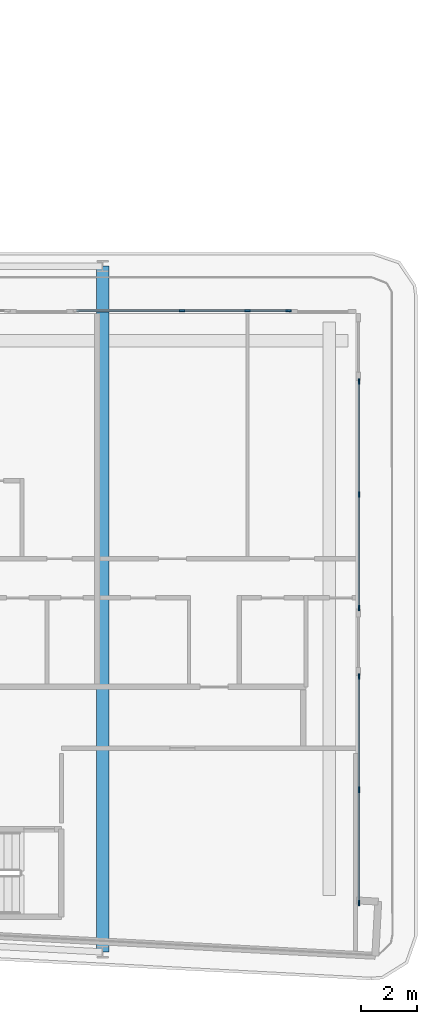
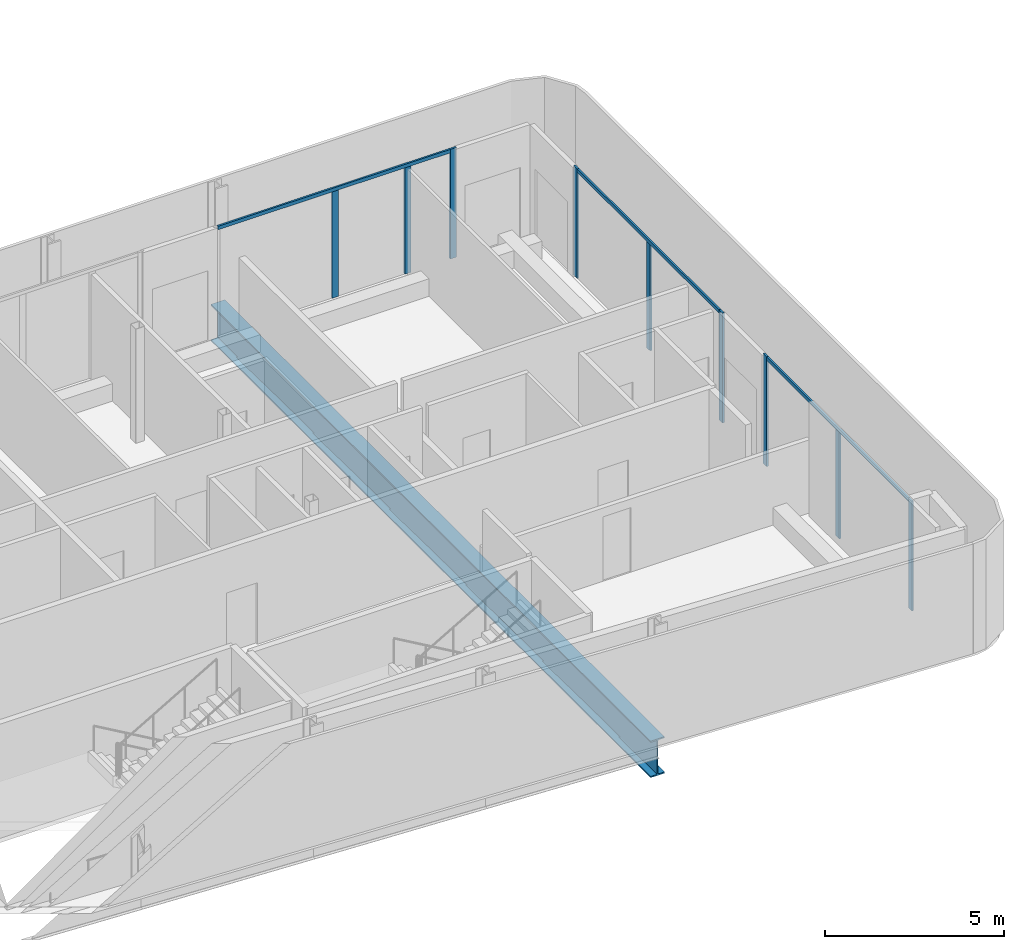
# One storey, part 10 of 28: 12 members, 1 beam, 3 elements without a shape of their own.
"""IFC4 building model written with IfcOpenShell, lengths in metres."""

from ifc_helpers import new_model, si_unit, direction, frame, origin, origin_2d, place, context, subcontext, project, spatial, rectangle, i_section, extrude, material, layer, layer_set, material_profile, profile_set, type_object, element, aggregate, save


model = new_model("IFC4")

# Units and contexts
model_context = context("Model", 3, precision=1e-05, world=origin(), true_north=direction((0.0, 1.0)))
body_context = subcontext(model_context, "Body", "Model", "MODEL_VIEW")
ifc_project = project(units=[si_unit("LENGTHUNIT", "METRE"), si_unit("AREAUNIT", "SQUARE_METRE"), si_unit("VOLUMEUNIT", "CUBIC_METRE"), si_unit("PLANEANGLEUNIT", "RADIAN"), si_unit("MASSUNIT", "GRAM", prefix="KILO")], contexts=[model_context])

# Site, building, storey
site_placement = place(None, origin())
site = spatial("IfcSite", under=ifc_project, at=site_placement, CompositionType="ELEMENT")
building_placement = place(site_placement, origin())
building = spatial("IfcBuilding", under=site, at=building_placement, Name="Kheshtan School and Residences Tower", CompositionType="ELEMENT")
storey_placement = place(building_placement, frame((0.0, 0.0, 187.699951171875)))
storey = spatial("IfcBuildingStorey", under=building, at=storey_placement, Name="L44", CompositionType="ELEMENT", Elevation=187.699951171875)

# Curtain wall, members
ifc_material_1 = material(Name="Clear low-e glass in thermally broken aluminium frame", Category="aluminium")
ifc_layer = layer(ifc_material_1, 0.199951171875)
ifc_layer_set = layer_set([ifc_layer], Name="Curtain wall CW-L")
curtain_wall_type = type_object("IfcCurtainWallType", Name="Curtain wall CW-L", PredefinedType="NOTDEFINED", material=ifc_layer_set)
curtain_wall_1_placement = place(storey_placement, origin())
curtain_wall_1 = element("IfcCurtainWall", 1, at=curtain_wall_1_placement, inside=storey, type_object=curtain_wall_type, Name="Curtain wall CWL12k", PredefinedType="NOTDEFINED")
ifc_material_2 = material(Name="Thermally broken aluminium, dark bronze anodised", Category="aluminium")
ifc_material_profile_1 = material_profile(ifc_material_2, rectangle(XDim=0.06005859375, YDim=0.199951171875, at=origin_2d()), Name="CW-L mullion 60x200")
ifc_profile_set_1 = profile_set([ifc_material_profile_1], Name="Thermally broken aluminium, dark bronze anodised")
member_type_1 = type_object("IfcMemberType", Name="CW-L mullion 60x200", PredefinedType="MULLION", material=ifc_profile_set_1)
member_1_placement = place(storey_placement, frame((93.653076171875, 44.0, 0.0), z_axis=(0.0, 0.0, 1.0), x_axis=(0.0, 1.0, 0.0)))
member_1 = element("IfcMember", 2, at=member_1_placement, type_object=member_type_1, Name="CWL12k mullion 2", PredefinedType="MULLION", context=body_context, shape_type="SweptSolid", body=[
    extrude(rectangle(XDim=0.06005859375, YDim=0.199951171875, at=origin_2d()), origin(), (0.0, 0.0, 1.0), 3.630126953125),
])
member_2_placement = place(storey_placement, frame((96.0, 44.0, 0.0), z_axis=(0.0, 0.0, 1.0), x_axis=(0.0, 1.0, 0.0)))
member_2 = element("IfcMember", 3, at=member_2_placement, type_object=member_type_1, Name="CWL12k mullion 3", PredefinedType="MULLION", context=body_context, shape_type="SweptSolid", body=[
    extrude(rectangle(XDim=0.06005859375, YDim=0.199951171875, at=origin_2d()), origin(), (0.0, 0.0, 1.0), 3.630126953125),
])
member_3_placement = place(storey_placement, frame((97.469970703125, 44.0, 0.0), z_axis=(0.0, 0.0, 1.0), x_axis=(0.0, 1.0, 0.0)))
member_3 = element("IfcMember", 4, at=member_3_placement, type_object=member_type_1, Name="CWL12k mullion 4", PredefinedType="MULLION", context=body_context, shape_type="SweptSolid", body=[
    extrude(rectangle(XDim=0.06005859375, YDim=0.199951171875, at=origin_2d()), origin(), (0.0, 0.0, 1.0), 3.75),
])

curtain_wall_2_placement = place(storey_placement, origin())
curtain_wall_2 = element("IfcCurtainWall", 5, at=curtain_wall_2_placement, inside=storey, type_object=curtain_wall_type, Name="Curtain wall CWL13b", PredefinedType="NOTDEFINED")
member_4_placement = place(storey_placement, frame((100.0, 41.469970703125, 0.0), z_axis=(0.0, 0.0, 1.0), x_axis=(1.0, 0.0, 0.0)))
member_4 = element("IfcMember", 6, at=member_4_placement, type_object=member_type_1, Name="CWL13b mullion 1", PredefinedType="MULLION", context=body_context, shape_type="SweptSolid", body=[
    extrude(rectangle(XDim=0.06005859375, YDim=0.199951171875, at=origin_2d()), origin(), (0.0, 0.0, 1.0), 3.75),
])
member_5_placement = place(storey_placement, frame((100.0, 37.403564453125, 0.0), z_axis=(0.0, 0.0, 1.0), x_axis=(1.0, 0.0, 0.0)))
member_5 = element("IfcMember", 7, at=member_5_placement, type_object=member_type_1, Name="CWL13b mullion 2", PredefinedType="MULLION", context=body_context, shape_type="SweptSolid", body=[
    extrude(rectangle(XDim=0.06005859375, YDim=0.199951171875, at=origin_2d()), origin(), (0.0, 0.0, 1.0), 3.630126953125),
])
member_6_placement = place(storey_placement, frame((100.0, 33.3369140625, 0.0), z_axis=(0.0, 0.0, 1.0), x_axis=(1.0, 0.0, 0.0)))
member_6 = element("IfcMember", 8, at=member_6_placement, type_object=member_type_1, Name="CWL13b mullion 3", PredefinedType="MULLION", context=body_context, shape_type="SweptSolid", body=[
    extrude(rectangle(XDim=0.06005859375, YDim=0.199951171875, at=origin_2d()), origin(), (0.0, 0.0, 1.0), 3.75),
])

curtain_wall_3_placement = place(storey_placement, origin())
curtain_wall_3 = element("IfcCurtainWall", 9, at=curtain_wall_3_placement, inside=storey, type_object=curtain_wall_type, Name="Curtain wall CWL13b", PredefinedType="NOTDEFINED")
member_7_placement = place(storey_placement, frame((100.0, 30.876953125, 0.0), z_axis=(0.0, 0.0, 1.0), x_axis=(1.0, 0.0, 0.0)))
member_7 = element("IfcMember", 10, at=member_7_placement, type_object=member_type_1, Name="CWL13b mullion 1", PredefinedType="MULLION", context=body_context, shape_type="SweptSolid", body=[
    extrude(rectangle(XDim=0.06005859375, YDim=0.199951171875, at=origin_2d()), origin(), (0.0, 0.0, 1.0), 3.75),
])
member_8_placement = place(storey_placement, frame((100.0, 26.810546875, 0.0), z_axis=(0.0, 0.0, 1.0), x_axis=(1.0, 0.0, 0.0)))
member_8 = element("IfcMember", 11, at=member_8_placement, type_object=member_type_1, Name="CWL13b mullion 2", PredefinedType="MULLION", context=body_context, shape_type="SweptSolid", body=[
    extrude(rectangle(XDim=0.06005859375, YDim=0.199951171875, at=origin_2d()), origin(), (0.0, 0.0, 1.0), 3.630126953125),
])
member_9_placement = place(storey_placement, frame((100.0, 22.743896484375, 0.0), z_axis=(0.0, 0.0, 1.0), x_axis=(1.0, 0.0, 0.0)))
member_9 = element("IfcMember", 12, at=member_9_placement, type_object=member_type_1, Name="CWL13b mullion 3", PredefinedType="MULLION", context=body_context, shape_type="SweptSolid", body=[
    extrude(rectangle(XDim=0.06005859375, YDim=0.199951171875, at=origin_2d()), origin(), (0.0, 0.0, 1.0), 3.75),
])

# Member
ifc_material_profile_2 = material_profile(ifc_material_2, rectangle(XDim=0.06005859375, YDim=0.1201171875, at=origin_2d()), Name="CW-L transom 60x120")
ifc_profile_set_2 = profile_set([ifc_material_profile_2], Name="Thermally broken aluminium, dark bronze anodised")
member_type_2 = type_object("IfcMemberType", Name="CW-L transom 60x120", PredefinedType="USERDEFINED", material=ifc_profile_set_2)
member_10_placement = place(storey_placement, frame((89.865966796875, 44.0, 3.68994140625), z_axis=(1.0, 0.0, 0.0), x_axis=(0.0, 1.0, 0.0)))
member_10 = element("IfcMember", 13, at=member_10_placement, type_object=member_type_2, Name="CWL12k transom 1", ObjectType="TRANSOM", PredefinedType="USERDEFINED", context=body_context, shape_type="SweptSolid", body=[
    extrude(rectangle(XDim=0.06005859375, YDim=0.1201171875, at=origin_2d()), origin(), (0.0, 0.0, 1.0), 7.573974609375),
])

aggregate(curtain_wall_1, [member_1, member_2, member_3, member_10])

member_11_placement = place(storey_placement, frame((100.0, 41.43994140625, 3.68994140625), z_axis=(0.0, -1.0, 0.0), x_axis=(1.0, 0.0, 0.0)))
member_11 = element("IfcMember", 14, at=member_11_placement, type_object=member_type_2, Name="CWL13b transom 1", ObjectType="TRANSOM", PredefinedType="USERDEFINED", context=body_context, shape_type="SweptSolid", body=[
    extrude(rectangle(XDim=0.06005859375, YDim=0.1201171875, at=origin_2d()), origin(), (0.0, 0.0, 1.0), 8.072998046875),
])

aggregate(curtain_wall_2, [member_4, member_5, member_6, member_11])

member_12_placement = place(storey_placement, frame((100.0, 30.846923828125, 3.68994140625), z_axis=(0.0, -1.0, 0.0), x_axis=(1.0, 0.0, 0.0)))
member_12 = element("IfcMember", 15, at=member_12_placement, type_object=member_type_2, Name="CWL13b transom 1", ObjectType="TRANSOM", PredefinedType="USERDEFINED", context=body_context, shape_type="SweptSolid", body=[
    extrude(rectangle(XDim=0.06005859375, YDim=0.1201171875, at=origin_2d()), origin(), (0.0, 0.0, 1.0), 8.072998046875),
])

aggregate(curtain_wall_3, [member_7, member_8, member_9, member_12])

# Beam
ifc_material_3 = material(Name="Steel ASTM A992 Grade 50", Category="steel")
ifc_material_profile_3 = material_profile(ifc_material_3, i_section(OverallWidth=0.449951171875, OverallDepth=1.25, WebThickness=0.02490234375, FlangeThickness=0.044921875, FilletRadius=0.03759765625, at=origin_2d()), Name="WWF1250x546")
ifc_profile_set_3 = profile_set([ifc_material_profile_3], Name="Steel ASTM A992 Grade 50")
beam_type = type_object("IfcBeamType", Name="Transfer girder TG4 WWF1250x546 ASTM A992 Grade 50", PredefinedType="BEAM", material=ifc_profile_set_3)
beam_placement = place(storey_placement, frame((90.800048828125, 45.60009765625, -0.77490234375), z_axis=(0.0, -1.0, 0.0), x_axis=(1.0, 0.0, 0.0)))
element("IfcBeam", 16, at=beam_placement, inside=storey, type_object=beam_type, Name="Transfer girder C068-C006", PredefinedType="BEAM", context=body_context, shape_type="SweptSolid", body=[
    extrude(i_section(OverallWidth=0.449951171875, OverallDepth=1.25, WebThickness=0.02490234375, FlangeThickness=0.044921875, FilletRadius=0.03759765625, at=origin_2d()), origin(), (0.0, 0.0, 1.0), 24.610107421875),
])

save(model, "model.ifc")
